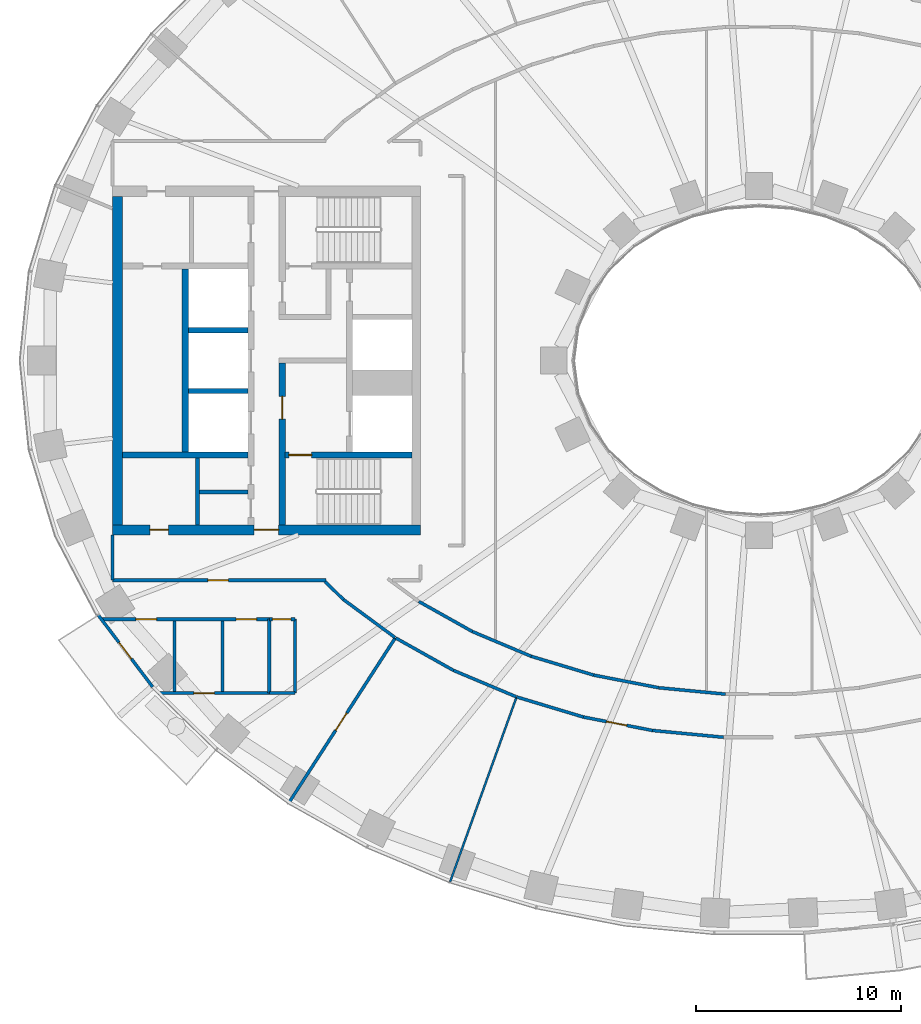
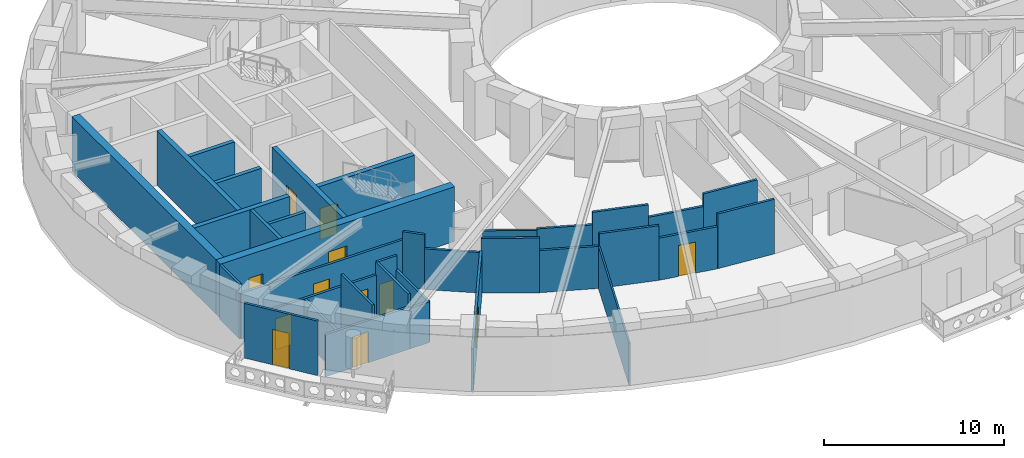
# One storey, part 3 of 16: 35 walls, 12 doors, 12 openings.
"""IFC4 building model written with IfcOpenShell, lengths in metres."""

from ifc_helpers import new_model, si_unit, direction, frame, frame_2d, origin, place, context, subcontext, project, spatial, rectangle, extrude, material, layer, layer_set, type_object, element, fill, save


model = new_model("IFC4")

# Units and contexts
model_context = context("Model", 3, precision=1e-05, world=origin(), true_north=direction((0.0, 1.0)))
body_context = subcontext(model_context, "Body", "Model", "MODEL_VIEW")
ifc_project = project(units=[si_unit("LENGTHUNIT", "METRE"), si_unit("AREAUNIT", "SQUARE_METRE"), si_unit("VOLUMEUNIT", "CUBIC_METRE"), si_unit("PLANEANGLEUNIT", "RADIAN"), si_unit("MASSUNIT", "GRAM", prefix="KILO")], contexts=[model_context])

# Site, building, storey
site_placement = place(None, origin())
site = spatial("IfcSite", under=ifc_project, at=site_placement, CompositionType="ELEMENT")
building_placement = place(site_placement, origin())
building = spatial("IfcBuilding", under=site, at=building_placement, Name="Noorbagh Ring Tower", CompositionType="ELEMENT")
storey_placement = place(building_placement, frame((0.0, 0.0, 66.5)))
storey = spatial("IfcBuildingStorey", under=building, at=storey_placement, Name="L14", CompositionType="ELEMENT", Elevation=66.5)

# Walls
ifc_material_1 = material(Name="Gypsum board on steel studs", Category="steel")
ifc_layer_1 = layer(ifc_material_1, 0.14990234375)
ifc_layer_set_1 = layer_set([ifc_layer_1], Name="Gypsum board on steel studs")
wall_type_1 = type_object("IfcWallType", Name="COMPARTMENT PARTITION 150 EI 60", PredefinedType="PARTITIONING", material=ifc_layer_set_1)
wall_1_placement = place(storey_placement, frame((-23.85888671875, -16.199951171875, 0.0), z_axis=(0.0, 0.0, 1.0), x_axis=(0.0, 1.0, 0.0)))
element("IfcWall", 1, at=wall_1_placement, inside=storey, type_object=wall_type_1, Name="L14/wall/P11", PredefinedType="PARTITIONING", context=body_context, shape_type="SweptSolid", body=[
    extrude(rectangle(XDim=3.599853515625, YDim=0.14990234375, at=frame_2d((1.7998046875, 0.0))), origin(), (0.0, 0.0, 1.0), 3.699951171875),
])
wall_2_placement = place(storey_placement, frame((-23.85888671875, -16.199951171875, 0.0), z_axis=(0.0, 0.0, 1.0), x_axis=(1.0, 0.0, 0.0)))
element("IfcWall", 2, at=wall_2_placement, inside=storey, type_object=wall_type_1, Name="L14/wall/P12", PredefinedType="PARTITIONING", context=body_context, shape_type="SweptSolid", body=[
    extrude(rectangle(XDim=1.255859375, YDim=0.14990234375, at=frame_2d((0.6279296875, 0.0))), origin(), (0.0, 0.0, 1.0), 2.75),
])

# Wall, opening, door
wall_3_placement = place(storey_placement, frame((-23.85888671875, -12.60009765625, 0.0), z_axis=(0.0, 0.0, 1.0), x_axis=(1.0, 0.0, 0.0)))
wall_3 = element("IfcWall", 3, at=wall_3_placement, inside=storey, type_object=wall_type_1, Name="L14/wall/P13", PredefinedType="PARTITIONING", context=body_context, shape_type="SweptSolid", body=[
    extrude(rectangle(XDim=1.259765625, YDim=0.14990234375, at=frame_2d((0.6298828125, 0.0))), origin(), (0.0, 0.0, 1.0), 3.699951171875),
])
opening_1_placement = place(wall_3_placement, frame((0.14990234375, 0.0, 0.0)))
opening_1 = element("IfcOpeningElement", 4, at=opening_1_placement, cuts=wall_3, Name="Opening D4", PredefinedType="OPENING", context=body_context, shape_type="SweptSolid", body=[
    extrude(rectangle(XDim=0.89990234375, YDim=2.10009765625, at=frame_2d((0.449951171875, 1.050048828125))), frame((0.0, 0.0849609375, 0.0), z_axis=(0.0, -1.0, 0.0), x_axis=(1.0, 0.0, 0.0)), (0.0, 0.0, 1.0), 0.169921875),
])
ifc_material_2 = material(Name="Timber, painted", Category="wood")
door_type_1 = type_object("IfcDoorType", Name="DOOR 900 X 2100 FD60", OperationType="SINGLE_SWING_LEFT", PredefinedType="DOOR", material=ifc_material_2)
door_1_placement = place(opening_1_placement, origin())
door_1 = element("IfcDoor", 5, at=door_1_placement, inside=storey, type_object=door_type_1, Name="L14-D05", OperationType="SINGLE_SWING_LEFT", OverallHeight=2.10009765625, OverallWidth=0.89990234375, PredefinedType="DOOR", context=body_context, shape_type="SweptSolid", body=[
    extrude(rectangle(XDim=0.89990234375, YDim=2.10009765625, at=frame_2d((0.449951171875, 1.050048828125))), frame((0.0, 0.02490234375, 0.0), z_axis=(0.0, -1.0, 0.0), x_axis=(1.0, 0.0, 0.0)), (0.0, 0.0, 1.0), 0.050048828125),
])
fill(opening_1, door_1)

# Walls
wall_4_placement = place(storey_placement, frame((-22.59912109375, -16.196044921875, 0.0), z_axis=(0.0, 0.0, 1.0), x_axis=(0.0, 1.0, 0.0)))
element("IfcWall", 6, at=wall_4_placement, inside=storey, type_object=wall_type_1, Name="L14/wall/P16", PredefinedType="PARTITIONING", context=body_context, shape_type="SweptSolid", body=[
    extrude(rectangle(XDim=3.595947265625, YDim=0.14990234375, at=frame_2d((1.7978515625, 0.0))), origin(), (0.0, 0.0, 1.0), 2.75),
])
ifc_material_3 = material(Name="Gypsum board on steel studs", Category="steel")
ifc_layer_2 = layer(ifc_material_3, 0.199951171875)
ifc_layer_set_2 = layer_set([ifc_layer_2], Name="Gypsum board on steel studs")
wall_type_2 = type_object("IfcWallType", Name="CORE-PARTITION-200", PredefinedType="PARTITIONING", material=ifc_layer_set_2)
wall_5_placement = place(storey_placement, frame((-27.35009765625, -8.0, 0.0), z_axis=(0.0, 0.0, 1.0), x_axis=(0.0, 1.0, 0.0)))
element("IfcWall", 7, at=wall_5_placement, inside=storey, type_object=wall_type_2, Name="Core partition W", PredefinedType="PARTITIONING", context=body_context, shape_type="SweptSolid", body=[
    extrude(rectangle(XDim=3.25, YDim=0.199951171875, at=frame_2d((1.625, 0.0))), origin(), (0.0, 0.0, 1.0), 3.699951171875),
])
wall_6_placement = place(storey_placement, frame((-24.89990234375, -6.39990234375, 0.0), z_axis=(0.0, 0.0, 1.0), x_axis=(-1.0, 0.0, 0.0)))
element("IfcWall", 8, at=wall_6_placement, inside=storey, type_object=wall_type_2, Name="Core partition W", PredefinedType="PARTITIONING", context=body_context, shape_type="SweptSolid", body=[
    extrude(rectangle(XDim=2.35009765625, YDim=0.199951171875, at=frame_2d((1.175048828125, 0.0))), origin(), (0.0, 0.0, 1.0), 3.699951171875),
])
ifc_material_4 = material(Name="Concrete C70/85", Category="concrete")
ifc_layer_3 = layer(ifc_material_4, 0.25)
ifc_layer_set_3 = layer_set([ifc_layer_3], Name="Concrete C70/85")
wall_type_3 = type_object("IfcWallType", Name="CORE-WALL-250-C70-85-EI120", PredefinedType="SHEAR", material=ifc_layer_set_3)
for number, where, z_axis, x_axis, name in (
    (9, (-24.89990234375, -1.47509765625, 0.0), (0.0, 0.0, 1.0), (-1.0, 0.0, 0.0), "Core wall W"),
    (10, (-24.89990234375, 1.47509765625, 0.0), (0.0, 0.0, 1.0), (-1.0, 0.0, 0.0), "Core wall W"),
):
    element("IfcWall", number, at=place(storey_placement, frame(where, z_axis=z_axis, x_axis=x_axis)), inside=storey, type_object=wall_type_3, Name=name, PredefinedType="SHEAR", context=body_context, shape_type="SweptSolid", body=[
        extrude(rectangle(XDim=2.900146484375, YDim=0.25, at=frame_2d((1.4501953125, 0.0))), origin(), (0.0, 0.0, 1.0), 3.699951171875),
    ])
ifc_material_5 = material(Name="Concrete C70/85", Category="concrete")
ifc_layer_4 = layer(ifc_material_5, 0.300048828125)
ifc_layer_set_4 = layer_set([ifc_layer_4], Name="Concrete C70/85")
wall_type_4 = type_object("IfcWallType", Name="CORE-WALL-300-C70-85-EI120", PredefinedType="SHEAR", material=ifc_layer_set_4)
wall_7_placement = place(storey_placement, frame((-27.949951171875, -4.449951171875, 0.0), z_axis=(0.0, 0.0, 1.0), x_axis=(0.0, 1.0, 0.0)))
element("IfcWall", 11, at=wall_7_placement, inside=storey, type_object=wall_type_4, Name="Core wall W", PredefinedType="SHEAR", context=body_context, shape_type="SweptSolid", body=[
    extrude(rectangle(XDim=8.89990234375, YDim=0.300048828125, at=frame_2d((4.449951171875, 0.0))), origin(), (0.0, 0.0, 1.0), 3.699951171875),
])
ifc_material_6 = material(Name="Concrete C70/85", Category="concrete")
ifc_layer_5 = layer(ifc_material_6, 0.300048828125)
ifc_layer_set_5 = layer_set([ifc_layer_5], Name="Concrete C70/85")
wall_type_5 = type_object("IfcWallType", Name="CORE-WALL-300-C70-85-EI240", PredefinedType="SHEAR", material=ifc_layer_set_5)
wall_8_placement = place(storey_placement, frame((-24.89990234375, -4.60009765625, 0.0), z_axis=(0.0, 0.0, 1.0), x_axis=(-1.0, 0.0, 0.0)))
element("IfcWall", 12, at=wall_8_placement, inside=storey, type_object=wall_type_5, Name="Core wall W", PredefinedType="SHEAR", context=body_context, shape_type="SweptSolid", body=[
    extrude(rectangle(XDim=6.10009765625, YDim=0.300048828125, at=frame_2d((3.050048828125, 0.0))), origin(), (0.0, 0.0, 1.0), 3.699951171875),
])

# Wall, opening, door
wall_9_placement = place(storey_placement, frame((-23.22998046875, -8.0, 0.0), z_axis=(0.0, 0.0, 1.0), x_axis=(0.0, 1.0, 0.0)))
wall_9 = element("IfcWall", 13, at=wall_9_placement, inside=storey, type_object=wall_type_5, Name="Core wall W", PredefinedType="SHEAR", context=body_context, shape_type="SweptSolid", body=[
    extrude(rectangle(XDim=7.875, YDim=0.300048828125, at=frame_2d((3.9375, 0.0))), origin(), (0.0, 0.0, 1.0), 3.699951171875),
])
opening_2_placement = place(wall_9_placement, frame((5.14990234375, 0.0, 0.0)))
opening_2 = element("IfcOpeningElement", 14, at=opening_2_placement, cuts=wall_9, Name="Opening L14-CW07", PredefinedType="OPENING", context=body_context, shape_type="SweptSolid", body=[
    extrude(rectangle(XDim=1.10009765625, YDim=2.10009765625, at=frame_2d((0.550048828125, 1.050048828125))), frame((0.0, 0.16015625, 0.0), z_axis=(0.0, -1.0, 0.0), x_axis=(1.0, 0.0, 0.0)), (0.0, 0.0, 1.0), 0.320068359375),
])
ifc_material_7 = material(Name="Steel door leaf", Category="steel")
door_type_2 = type_object("IfcDoorType", Name="CORE-DOOR-DFF", OperationType="SINGLE_SWING_LEFT", PredefinedType="DOOR", material=ifc_material_7)
door_2_placement = place(opening_2_placement, origin())
door_2 = element("IfcDoor", 15, at=door_2_placement, inside=storey, type_object=door_type_2, Name="Firefighting lobby door L14-CW07", OperationType="SINGLE_SWING_LEFT", OverallHeight=2.10009765625, OverallWidth=1.10009765625, PredefinedType="DOOR", context=body_context, shape_type="SweptSolid", body=[
    extrude(rectangle(XDim=1.10009765625, YDim=2.10009765625, at=frame_2d((0.550048828125, 1.050048828125))), frame((0.0, 0.02490234375, 0.0), z_axis=(0.0, -1.0, 0.0), x_axis=(1.0, 0.0, 0.0)), (0.0, 0.0, 1.0), 0.050048828125),
])
fill(opening_2, door_2)

wall_10_placement = place(storey_placement, frame((-16.89990234375, -4.60009765625, 0.0), z_axis=(0.0, 0.0, 1.0), x_axis=(-1.0, 0.0, 0.0)))
wall_10 = element("IfcWall", 16, at=wall_10_placement, inside=storey, type_object=wall_type_5, Name="Core wall W", PredefinedType="SHEAR", context=body_context, shape_type="SweptSolid", body=[
    extrude(rectangle(XDim=6.18017578125, YDim=0.300048828125, at=frame_2d((3.090087890625, 0.0))), origin(), (0.0, 0.0, 1.0), 3.699951171875),
])
opening_3_placement = place(wall_10_placement, frame((4.89990234375, 0.0, 0.0)))
opening_3 = element("IfcOpeningElement", 17, at=opening_3_placement, cuts=wall_10, Name="Opening L14-CW06", PredefinedType="OPENING", context=body_context, shape_type="SweptSolid", body=[
    extrude(rectangle(XDim=1.10009765625, YDim=2.10009765625, at=frame_2d((0.550048828125, 1.050048828125))), frame((0.0, 0.16015625, 0.0), z_axis=(0.0, -1.0, 0.0), x_axis=(1.0, 0.0, 0.0)), (0.0, 0.0, 1.0), 0.320068359375),
])
ifc_material_8 = material(Name="Steel door leaf", Category="steel")
door_type_3 = type_object("IfcDoorType", Name="CORE-DOOR-DSTAIR", OperationType="SINGLE_SWING_LEFT", PredefinedType="DOOR", material=ifc_material_8)
door_3_placement = place(opening_3_placement, origin())
door_3 = element("IfcDoor", 18, at=door_3_placement, inside=storey, type_object=door_type_3, Name="Stair door ST2 L14-CW06", OperationType="SINGLE_SWING_LEFT", OverallHeight=2.10009765625, OverallWidth=1.10009765625, PredefinedType="DOOR", context=body_context, shape_type="SweptSolid", body=[
    extrude(rectangle(XDim=1.10009765625, YDim=2.10009765625, at=frame_2d((0.550048828125, 1.050048828125))), frame((0.0, 0.02490234375, 0.0), z_axis=(0.0, -1.0, 0.0), x_axis=(1.0, 0.0, 0.0)), (0.0, 0.0, 1.0), 0.050048828125),
])
fill(opening_3, door_3)

# Wall, openings, doors
ifc_material_9 = material(Name="Concrete C70/85", Category="concrete")
ifc_layer_6 = layer(ifc_material_9, 0.5)
ifc_layer_set_6 = layer_set([ifc_layer_6], Name="Concrete C70/85")
wall_type_6 = type_object("IfcWallType", Name="CORE-WALL-500-C70-85-EI240", PredefinedType="SHEAR", material=ifc_layer_set_6)
wall_11_placement = place(storey_placement, frame((-16.5, -8.25, 0.0), z_axis=(0.0, 0.0, 1.0), x_axis=(-1.0, 0.0, 0.0)))
wall_11 = element("IfcWall", 19, at=wall_11_placement, inside=storey, type_object=wall_type_6, Name="Core wall W", PredefinedType="SHEAR", context=body_context, shape_type="SweptSolid", body=[
    extrude(rectangle(XDim=15.0, YDim=0.5, at=frame_2d((7.5, 0.0))), origin(), (0.0, 0.0, 1.0), 3.699951171875),
])
opening_4_placement = place(wall_11_placement, frame((6.89990234375, 0.0, 0.0)))
opening_4 = element("IfcOpeningElement", 20, at=opening_4_placement, cuts=wall_11, Name="Opening L14-CW10", PredefinedType="OPENING", context=body_context, shape_type="SweptSolid", body=[
    extrude(rectangle(XDim=1.199951171875, YDim=2.10009765625, at=frame_2d((0.60009765625, 1.050048828125))), frame((0.0, 0.260009765625, 0.0), z_axis=(0.0, -1.0, 0.0), x_axis=(1.0, 0.0, 0.0)), (0.0, 0.0, 1.0), 0.52001953125),
])
opening_5_placement = place(wall_11_placement, frame((12.27490234375, 0.0, 0.0)))
opening_5 = element("IfcOpeningElement", 21, at=opening_5_placement, cuts=wall_11, Name="Opening L14-CW16", PredefinedType="OPENING", context=body_context, shape_type="SweptSolid", body=[
    extrude(rectangle(XDim=0.89990234375, YDim=2.10009765625, at=frame_2d((0.449951171875, 1.050048828125))), frame((0.0, 0.260009765625, 0.0), z_axis=(0.0, -1.0, 0.0), x_axis=(1.0, 0.0, 0.0)), (0.0, 0.0, 1.0), 0.52001953125),
])
ifc_material_10 = material(Name="Steel door leaf", Category="steel")
door_type_4 = type_object("IfcDoorType", Name="CORE-DOOR-DROOM", OperationType="SINGLE_SWING_LEFT", PredefinedType="DOOR", material=ifc_material_10)
door_4_placement = place(opening_5_placement, origin())
door_4 = element("IfcDoor", 22, at=door_4_placement, inside=storey, type_object=door_type_4, Name="Core room door L14-CW16", OperationType="SINGLE_SWING_LEFT", OverallHeight=2.10009765625, OverallWidth=0.89990234375, PredefinedType="DOOR", context=body_context, shape_type="SweptSolid", body=[
    extrude(rectangle(XDim=0.89990234375, YDim=2.10009765625, at=frame_2d((0.449951171875, 1.050048828125))), frame((0.0, 0.02490234375, 0.0), z_axis=(0.0, -1.0, 0.0), x_axis=(1.0, 0.0, 0.0)), (0.0, 0.0, 1.0), 0.050048828125),
])
fill(opening_5, door_4)
ifc_material_11 = material(Name="Steel door leaf", Category="steel")
door_type_5 = type_object("IfcDoorType", Name="CORE-DOOR-PORT", OperationType="DOUBLE_DOOR_DOUBLE_SWING", PredefinedType="DOOR", material=ifc_material_11)
door_5_placement = place(opening_4_placement, origin())
door_5 = element("IfcDoor", 23, at=door_5_placement, inside=storey, type_object=door_type_5, Name="Core entrance door L14-CW10", OperationType="DOUBLE_DOOR_DOUBLE_SWING", OverallHeight=2.10009765625, OverallWidth=1.199951171875, PredefinedType="DOOR", context=body_context, shape_type="SweptSolid", body=[
    extrude(rectangle(XDim=1.199951171875, YDim=2.10009765625, at=frame_2d((0.60009765625, 1.050048828125))), frame((0.0, 0.02490234375, 0.0), z_axis=(0.0, -1.0, 0.0), x_axis=(1.0, 0.0, 0.0)), (0.0, 0.0, 1.0), 0.050048828125),
])
fill(opening_4, door_5)

# Wall
wall_12_placement = place(storey_placement, frame((-31.25, -8.0, 0.0), z_axis=(0.0, 0.0, 1.0), x_axis=(0.0, 1.0, 0.0)))
element("IfcWall", 24, at=wall_12_placement, inside=storey, type_object=wall_type_6, Name="Core wall W", PredefinedType="SHEAR", context=body_context, shape_type="SweptSolid", body=[
    extrude(rectangle(XDim=16.0, YDim=0.5, at=frame_2d((8.0, 0.0))), origin(), (0.0, 0.0, 1.0), 3.699951171875),
])

# Wall, openings, doors
ifc_material_12 = material(Name="Gypsum board on steel studs", Category="steel")
ifc_layer_7 = layer(ifc_material_12, 0.14990234375)
ifc_layer_set_7 = layer_set([ifc_layer_7], Name="Gypsum board on steel studs")
wall_type_7 = type_object("IfcWallType", Name="CORRIDOR PARTITION 150 EI 30", PredefinedType="PARTITIONING", material=ifc_layer_set_7)
wall_13_placement = place(storey_placement, frame((-32.06298828125, -12.60009765625, 0.0), z_axis=(0.0, 0.0, 1.0), x_axis=(1.0, 0.0, 0.0)))
wall_13 = element("IfcWall", 25, at=wall_13_placement, inside=storey, type_object=wall_type_7, Name="L14/wall/P02", PredefinedType="PARTITIONING", context=body_context, shape_type="SweptSolid", body=[
    extrude(rectangle(XDim=8.2041015625, YDim=0.14990234375, at=frame_2d((4.10205078125, 0.0))), origin(), (0.0, 0.0, 1.0), 2.85009765625),
])
opening_6_placement = place(wall_13_placement, frame((1.712890625, 0.0, 0.0)))
opening_6 = element("IfcOpeningElement", 26, at=opening_6_placement, cuts=wall_13, Name="Opening D3", PredefinedType="OPENING", context=body_context, shape_type="SweptSolid", body=[
    extrude(rectangle(XDim=1.0, YDim=2.10009765625, at=frame_2d((0.5, 1.050048828125))), frame((0.0, 0.0849609375, 0.0), z_axis=(0.0, -1.0, 0.0), x_axis=(1.0, 0.0, 0.0)), (0.0, 0.0, 1.0), 0.169921875),
])
opening_7_placement = place(wall_13_placement, frame((6.5859375, 0.0, 0.0)))
opening_7 = element("IfcOpeningElement", 27, at=opening_7_placement, cuts=wall_13, Name="Opening D3", PredefinedType="OPENING", context=body_context, shape_type="SweptSolid", body=[
    extrude(rectangle(XDim=1.0, YDim=2.10009765625, at=frame_2d((0.5, 1.050048828125))), frame((0.0, 0.0849609375, 0.0), z_axis=(0.0, -1.0, 0.0), x_axis=(1.0, 0.0, 0.0)), (0.0, 0.0, 1.0), 0.169921875),
])
ifc_material_13 = material(Name="Timber, painted", Category="wood")
door_type_6 = type_object("IfcDoorType", Name="DOOR 1000 X 2100 WC", OperationType="SINGLE_SWING_LEFT", PredefinedType="DOOR", material=ifc_material_13)
door_6_placement = place(opening_6_placement, origin())
door_6 = element("IfcDoor", 28, at=door_6_placement, inside=storey, type_object=door_type_6, Name="L14-D02", OperationType="SINGLE_SWING_RIGHT", OverallHeight=2.10009765625, OverallWidth=1.0, PredefinedType="DOOR", context=body_context, shape_type="SweptSolid", body=[
    extrude(rectangle(XDim=1.0, YDim=2.10009765625, at=frame_2d((0.5, 1.050048828125))), frame((0.0, 0.02490234375, 0.0), z_axis=(0.0, -1.0, 0.0), x_axis=(1.0, 0.0, 0.0)), (0.0, 0.0, 1.0), 0.050048828125),
])
fill(opening_6, door_6)
door_7_placement = place(opening_7_placement, origin())
door_7 = element("IfcDoor", 29, at=door_7_placement, inside=storey, type_object=door_type_6, Name="L14-D04", OperationType="SINGLE_SWING_RIGHT", OverallHeight=2.10009765625, OverallWidth=1.0, PredefinedType="DOOR", context=body_context, shape_type="SweptSolid", body=[
    extrude(rectangle(XDim=1.0, YDim=2.10009765625, at=frame_2d((0.5, 1.050048828125))), frame((0.0, 0.02490234375, 0.0), z_axis=(0.0, -1.0, 0.0), x_axis=(1.0, 0.0, 0.0)), (0.0, 0.0, 1.0), 0.050048828125),
])
fill(opening_7, door_7)

# Wall
wall_14_placement = place(storey_placement, frame((-31.5, -10.699951171875, 0.0), z_axis=(0.0, 0.0, 1.0), x_axis=(0.0, 1.0, 0.0)))
element("IfcWall", 30, at=wall_14_placement, inside=storey, type_object=wall_type_7, Name="L14/wall/P03", PredefinedType="PARTITIONING", context=body_context, shape_type="SweptSolid", body=[
    extrude(rectangle(XDim=2.199951171875, YDim=0.14990234375, at=frame_2d((1.10009765625, 0.0))), origin(), (0.0, 0.0, 1.0), 3.699951171875),
])

# Wall, opening, door
wall_15_placement = place(storey_placement, frame((-31.5, -10.699951171875, 0.0), z_axis=(0.0, 0.0, 1.0), x_axis=(1.0, 0.0, 0.0)))
wall_15 = element("IfcWall", 31, at=wall_15_placement, inside=storey, type_object=wall_type_7, Name="L14/wall/P04", PredefinedType="PARTITIONING", context=body_context, shape_type="SweptSolid", body=[
    extrude(rectangle(XDim=10.39599609375, YDim=0.14990234375, at=frame_2d((5.197998046875, 0.0))), origin(), (0.0, 0.0, 1.0), 3.10009765625),
])
opening_8_placement = place(wall_15_placement, frame((4.64990234375, 0.0, 0.0)))
opening_8 = element("IfcOpeningElement", 32, at=opening_8_placement, cuts=wall_15, Name="Opening D1", PredefinedType="OPENING", context=body_context, shape_type="SweptSolid", body=[
    extrude(rectangle(XDim=1.0, YDim=2.10009765625, at=frame_2d((0.5, 1.050048828125))), frame((0.0, 0.0849609375, 0.0), z_axis=(0.0, -1.0, 0.0), x_axis=(1.0, 0.0, 0.0)), (0.0, 0.0, 1.0), 0.169921875),
])
ifc_material_14 = material(Name="Timber, painted", Category="wood")
door_type_7 = type_object("IfcDoorType", Name="DOOR 1000 X 2100 FD30", OperationType="SINGLE_SWING_LEFT", PredefinedType="DOOR", material=ifc_material_14)
door_8_placement = place(opening_8_placement, origin())
door_8 = element("IfcDoor", 33, at=door_8_placement, inside=storey, type_object=door_type_7, Name="L14-D01", OperationType="SINGLE_SWING_LEFT", OverallHeight=2.10009765625, OverallWidth=1.0, PredefinedType="DOOR", context=body_context, shape_type="SweptSolid", body=[
    extrude(rectangle(XDim=1.0, YDim=2.10009765625, at=frame_2d((0.5, 1.050048828125))), frame((0.0, 0.02490234375, 0.0), z_axis=(0.0, -1.0, 0.0), x_axis=(1.0, 0.0, 0.0)), (0.0, 0.0, 1.0), 0.050048828125),
])
fill(opening_8, door_8)

wall_16_placement = place(storey_placement, frame((-29.251953125, -16.199951171875, 0.0), z_axis=(0.0, 0.0, 1.0), x_axis=(1.0, 0.0, 0.0)))
wall_16 = element("IfcWall", 34, at=wall_16_placement, inside=storey, type_object=wall_type_7, Name="L14/wall/P08", PredefinedType="PARTITIONING", context=body_context, shape_type="SweptSolid", body=[
    extrude(rectangle(XDim=5.39306640625, YDim=0.14990234375, at=frame_2d((2.696533203125, 0.0))), origin(), (0.0, 0.0, 1.0), 2.85009765625),
])
opening_9_placement = place(wall_16_placement, frame((1.72509765625, 0.0, 0.0)))
opening_9 = element("IfcOpeningElement", 35, at=opening_9_placement, cuts=wall_16, Name="Opening D3", PredefinedType="OPENING", context=body_context, shape_type="SweptSolid", body=[
    extrude(rectangle(XDim=1.0, YDim=2.10009765625, at=frame_2d((0.5, 1.050048828125))), frame((0.0, 0.0849609375, 0.0), z_axis=(0.0, -1.0, 0.0), x_axis=(1.0, 0.0, 0.0)), (0.0, 0.0, 1.0), 0.169921875),
])
door_9_placement = place(opening_9_placement, origin())
door_9 = element("IfcDoor", 36, at=door_9_placement, inside=storey, type_object=door_type_6, Name="L14-D03", OperationType="SINGLE_SWING_LEFT", OverallHeight=2.10009765625, OverallWidth=1.0, PredefinedType="DOOR", context=body_context, shape_type="SweptSolid", body=[
    extrude(rectangle(XDim=1.0, YDim=2.10009765625, at=frame_2d((0.5, 1.050048828125))), frame((0.0, 0.02490234375, 0.0), z_axis=(0.0, -1.0, 0.0), x_axis=(1.0, 0.0, 0.0)), (0.0, 0.0, 1.0), 0.050048828125),
])
fill(opening_9, door_9)

# Walls
wall_17_placement = place(storey_placement, frame((-28.47900390625, -16.125, 0.0), z_axis=(0.0, 0.0, 1.0), x_axis=(0.0, 1.0, 0.0)))
element("IfcWall", 37, at=wall_17_placement, inside=storey, type_object=wall_type_7, Name="L14/wall/P09", PredefinedType="PARTITIONING", context=body_context, shape_type="SweptSolid", body=[
    extrude(rectangle(XDim=3.449951171875, YDim=0.14990234375, at=frame_2d((1.72509765625, 0.0))), origin(), (0.0, 0.0, 1.0), 2.85009765625),
])
wall_18_placement = place(storey_placement, frame((-26.126953125, -16.125, 0.0), z_axis=(0.0, 0.0, 1.0), x_axis=(0.0, 1.0, 0.0)))
element("IfcWall", 38, at=wall_18_placement, inside=storey, type_object=wall_type_7, Name="L14/wall/P10", PredefinedType="PARTITIONING", context=body_context, shape_type="SweptSolid", body=[
    extrude(rectangle(XDim=3.449951171875, YDim=0.14990234375, at=frame_2d((1.72509765625, 0.0))), origin(), (0.0, 0.0, 1.0), 3.699951171875),
])

# Wall, opening, door
wall_19_placement = place(storey_placement, frame((-22.905029296875, -21.5419921875, 0.0), z_axis=(0.0, 0.0, 1.0), x_axis=(0.542244314938, 0.840220865557, 0.0)))
wall_19 = element("IfcWall", 39, at=wall_19_placement, inside=storey, type_object=wall_type_7, Name="L14/wall/P14", PredefinedType="PARTITIONING", context=body_context, shape_type="SweptSolid", body=[
    extrude(rectangle(XDim=9.56396484375, YDim=0.14990234375, at=frame_2d((4.781982421875, 0.0))), origin(), (0.0, 0.0, 1.0), 2.85009765625),
])
opening_10_placement = place(wall_19_placement, frame((4.199951171875, 0.0, 0.0)))
opening_10 = element("IfcOpeningElement", 40, at=opening_10_placement, cuts=wall_19, Name="Opening D1", PredefinedType="OPENING", context=body_context, shape_type="SweptSolid", body=[
    extrude(rectangle(XDim=1.0, YDim=2.10009765625, at=frame_2d((0.5, 1.050048828125))), frame((0.0, 0.0849609375, 0.0), z_axis=(0.0, -1.0, 0.0), x_axis=(1.0, 0.0, 0.0)), (0.0, 0.0, 1.0), 0.169921875),
])
door_10_placement = place(opening_10_placement, origin())
door_10 = element("IfcDoor", 41, at=door_10_placement, inside=storey, type_object=door_type_7, Name="L14-D08", OperationType="SINGLE_SWING_RIGHT", OverallHeight=2.10009765625, OverallWidth=1.0, PredefinedType="DOOR", context=body_context, shape_type="SweptSolid", body=[
    extrude(rectangle(XDim=1.0, YDim=2.10009765625, at=frame_2d((0.5, 1.050048828125))), frame((0.0, 0.02490234375, 0.0), z_axis=(0.0, -1.0, 0.0), x_axis=(1.0, 0.0, 0.0)), (0.0, 0.0, 1.0), 0.050048828125),
])
fill(opening_10, door_10)

# Walls
wall_20_placement = place(storey_placement, frame((-21.135009765625, -10.77490234375, 0.0), z_axis=(0.0, 0.0, 1.0), x_axis=(0.717043956417, -0.697027951065, 0.0)))
element("IfcWall", 42, at=wall_20_placement, inside=storey, type_object=wall_type_7, Name="L14/wall/P17", PredefinedType="PARTITIONING", context=body_context, shape_type="SweptSolid", body=[
    extrude(rectangle(XDim=1.244140625, YDim=0.14990234375, at=frame_2d((0.6220703125, 0.0))), origin(), (0.0, 0.0, 1.0), 3.699951171875),
])
wall_21_placement = place(storey_placement, frame((-20.242919921875, -11.64208984375, 0.0), z_axis=(0.0, 0.0, 1.0), x_axis=(0.805148342369, -0.593073475027, 0.0)))
element("IfcWall", 43, at=wall_21_placement, inside=storey, type_object=wall_type_7, Name="L14/wall/P19", PredefinedType="PARTITIONING", context=body_context, shape_type="SweptSolid", body=[
    extrude(rectangle(XDim=3.117431640625, YDim=0.14990234375, at=frame_2d((1.55859375, 0.0))), origin(), (0.0, 0.0, 1.0), 2.75),
])
wall_22_placement = place(storey_placement, frame((-17.698974609375, -13.512939453125, 0.0), z_axis=(0.0, 0.0, 1.0), x_axis=(0.872072163686, -0.489377299559, 0.0)))
element("IfcWall", 44, at=wall_22_placement, inside=storey, type_object=wall_type_7, Name="L14/wall/P25", PredefinedType="PARTITIONING", context=body_context, shape_type="SweptSolid", body=[
    extrude(rectangle(XDim=3.226806640625, YDim=0.14990234375, at=frame_2d((1.61328125, 0.0))), origin(), (0.0, 0.0, 1.0), 3.699951171875),
])
wall_23_placement = place(storey_placement, frame((-16.575927734375, -11.735107421875, 0.0), z_axis=(0.0, 0.0, 1.0), x_axis=(0.872164226045, -0.489213207924, 0.0)))
element("IfcWall", 45, at=wall_23_placement, inside=storey, type_object=wall_type_7, Name="L14/wall/P27", PredefinedType="PARTITIONING", context=body_context, shape_type="SweptSolid", body=[
    extrude(rectangle(XDim=2.998291015625, YDim=0.14990234375, at=frame_2d((1.4990234375, 0.0))), origin(), (0.0, 0.0, 1.0), 2.75),
])
wall_24_placement = place(storey_placement, frame((-14.885009765625, -15.092041015625, 0.0), z_axis=(0.0, 0.0, 1.0), x_axis=(0.921844706698, -0.387559462189, 0.0)))
element("IfcWall", 46, at=wall_24_placement, inside=storey, type_object=wall_type_7, Name="L14/wall/P35", PredefinedType="PARTITIONING", context=body_context, shape_type="SweptSolid", body=[
    extrude(rectangle(XDim=3.31298828125, YDim=0.14990234375, at=frame_2d((1.656494140625, 0.0))), origin(), (0.0, 0.0, 1.0), 2.85009765625),
])
wall_25_placement = place(storey_placement, frame((-13.9609375, -13.201904296875, 0.0), z_axis=(0.0, 0.0, 1.0), x_axis=(0.921753827375, -0.387775555857, 0.0)))
element("IfcWall", 47, at=wall_25_placement, inside=storey, type_object=wall_type_7, Name="L14/wall/P38", PredefinedType="PARTITIONING", context=body_context, shape_type="SweptSolid", body=[
    extrude(rectangle(XDim=3.1025390625, YDim=0.14990234375, at=frame_2d((1.55126953125, 0.0))), origin(), (0.0, 0.0, 1.0), 2.85009765625),
])
wall_26_placement = place(storey_placement, frame((-11.81201171875, -16.384033203125, 0.0), z_axis=(0.0, 0.0, 1.0), x_axis=(0.95754884035, -0.28827108482, 0.0)))
element("IfcWall", 48, at=wall_26_placement, inside=storey, type_object=wall_type_7, Name="L14/wall/P41", PredefinedType="PARTITIONING", context=body_context, shape_type="SweptSolid", body=[
    extrude(rectangle(XDim=3.396240234375, YDim=0.14990234375, at=frame_2d((1.6982421875, 0.0))), origin(), (0.0, 0.0, 1.0), 3.699951171875),
])
wall_27_placement = place(storey_placement, frame((-11.10107421875, -14.405029296875, 0.0), z_axis=(0.0, 0.0, 1.0), x_axis=(0.957612601062, -0.28805920622, 0.0)))
element("IfcWall", 49, at=wall_27_placement, inside=storey, type_object=wall_type_7, Name="L14/wall/P43", PredefinedType="PARTITIONING", context=body_context, shape_type="SweptSolid", body=[
    extrude(rectangle(XDim=3.179931640625, YDim=0.14990234375, at=frame_2d((1.58984375, 0.0))), origin(), (0.0, 0.0, 1.0), 3.699951171875),
])

# Wall, opening, door
wall_28_placement = place(storey_placement, frame((-8.56005859375, -17.363037109375, 0.0), z_axis=(0.0, 0.0, 1.0), x_axis=(0.981639027618, -0.1907480523, 0.0)))
wall_28 = element("IfcWall", 50, at=wall_28_placement, inside=storey, type_object=wall_type_7, Name="L14/wall/P45", PredefinedType="PARTITIONING", context=body_context, shape_type="SweptSolid", body=[
    extrude(rectangle(XDim=3.439208984375, YDim=0.14990234375, at=frame_2d((1.7197265625, 0.0))), origin(), (0.0, 0.0, 1.0), 2.85009765625),
])
opening_11_placement = place(wall_28_placement, frame((1.14990234375, 0.0, 0.0)))
opening_11 = element("IfcOpeningElement", 51, at=opening_11_placement, cuts=wall_28, Name="Opening D1", PredefinedType="OPENING", context=body_context, shape_type="SweptSolid", body=[
    extrude(rectangle(XDim=1.0, YDim=2.10009765625, at=frame_2d((0.5, 1.050048828125))), frame((0.0, 0.0849609375, 0.0), z_axis=(0.0, -1.0, 0.0), x_axis=(1.0, 0.0, 0.0)), (0.0, 0.0, 1.0), 0.169921875),
])
door_11_placement = place(opening_11_placement, origin())
door_11 = element("IfcDoor", 52, at=door_11_placement, inside=storey, type_object=door_type_7, Name="L14-D10", OperationType="SINGLE_SWING_RIGHT", OverallHeight=2.10009765625, OverallWidth=1.0, PredefinedType="DOOR", context=body_context, shape_type="SweptSolid", body=[
    extrude(rectangle(XDim=1.0, YDim=2.10009765625, at=frame_2d((0.5, 1.050048828125))), frame((0.0, 0.02490234375, 0.0), z_axis=(0.0, -1.0, 0.0), x_axis=(1.0, 0.0, 0.0)), (0.0, 0.0, 1.0), 0.050048828125),
])
fill(opening_11, door_11)

# Walls
wall_29_placement = place(storey_placement, frame((-8.055908203125, -15.321044921875, 0.0), z_axis=(0.0, 0.0, 1.0), x_axis=(0.981604377859, -0.190926282547, 0.0)))
element("IfcWall", 53, at=wall_29_placement, inside=storey, type_object=wall_type_7, Name="L14/wall/P47", PredefinedType="PARTITIONING", context=body_context, shape_type="SweptSolid", body=[
    extrude(rectangle(XDim=3.231201171875, YDim=0.14990234375, at=frame_2d((1.61572265625, 0.0))), origin(), (0.0, 0.0, 1.0), 2.85009765625),
])
wall_30_placement = place(storey_placement, frame((-5.18408203125, -18.01904296875, 0.0), z_axis=(0.0, 0.0, 1.0), x_axis=(0.995482474707, -0.09494547146, 0.0)))
element("IfcWall", 54, at=wall_30_placement, inside=storey, type_object=wall_type_7, Name="L14/wall/P49", PredefinedType="PARTITIONING", context=body_context, shape_type="SweptSolid", body=[
    extrude(rectangle(XDim=3.463623046875, YDim=0.14990234375, at=frame_2d((1.73193359375, 0.0))), origin(), (0.0, 0.0, 1.0), 3.699951171875),
])
wall_31_placement = place(storey_placement, frame((-4.884033203125, -15.93798828125, 0.0), z_axis=(0.0, 0.0, 1.0), x_axis=(0.99547459835, -0.095028017131, 0.0)))
element("IfcWall", 55, at=wall_31_placement, inside=storey, type_object=wall_type_7, Name="L14/wall/P51", PredefinedType="PARTITIONING", context=body_context, shape_type="SweptSolid", body=[
    extrude(rectangle(XDim=3.2626953125, YDim=0.14990234375, at=frame_2d((1.63134765625, 0.0))), origin(), (0.0, 0.0, 1.0), 3.699951171875),
])

# Wall, opening, door
ifc_material_15 = material(Name="Insulated aluminium clad panel", Category="aluminium")
ifc_layer_8 = layer(ifc_material_15, 0.14990234375)
ifc_layer_set_8 = layer_set([ifc_layer_8], Name="Insulated aluminium clad panel")
wall_type_8 = type_object("IfcWallType", Name="ENV-WALL-DOOR", PredefinedType="STANDARD", material=ifc_layer_set_8)
wall_32_placement = place(storey_placement, frame((-32.20751953125, -12.37353515625, 0.0), z_axis=(0.0, 0.0, 1.0), x_axis=(0.604045763106, -0.796949632081, 0.0)))
wall_32 = element("IfcWall", 56, at=wall_32_placement, inside=storey, type_object=wall_type_8, Name="Balcony door wall chord 27", PredefinedType="STANDARD", context=body_context, shape_type="SweptSolid", body=[
    extrude(rectangle(XDim=4.42333984375, YDim=0.14990234375, at=frame_2d((2.211669921875, 0.0))), origin(), (0.0, 0.0, 1.0), 3.699951171875),
])
opening_12_placement = place(wall_32_placement, frame((1.711669921875, 0.0, 0.0)))
opening_12 = element("IfcOpeningElement", 57, at=opening_12_placement, cuts=wall_32, Name="Opening D-BL", PredefinedType="OPENING", context=body_context, shape_type="SweptSolid", body=[
    extrude(rectangle(XDim=1.0, YDim=2.39990234375, at=frame_2d((0.5, 1.199951171875))), frame((0.0, 0.0849609375, 0.0), z_axis=(0.0, -1.0, 0.0), x_axis=(1.0, 0.0, 0.0)), (0.0, 0.0, 1.0), 0.169921875),
])
ifc_material_16 = material(Name="Aluminium and glass", Category="aluminium")
door_type_8 = type_object("IfcDoorType", Name="ENV-DOOR-BALCONY", OperationType="SINGLE_SWING_LEFT", PredefinedType="DOOR", material=ifc_material_16)
door_12_placement = place(opening_12_placement, origin())
door_12 = element("IfcDoor", 58, at=door_12_placement, inside=storey, type_object=door_type_8, Name="Balcony door chord 27", OperationType="SINGLE_SWING_LEFT", OverallHeight=2.39990234375, OverallWidth=1.0, PredefinedType="DOOR", context=body_context, shape_type="SweptSolid", body=[
    extrude(rectangle(XDim=1.0, YDim=2.39990234375, at=frame_2d((0.5, 1.199951171875))), frame((0.0, 0.02490234375, 0.0), z_axis=(0.0, -1.0, 0.0), x_axis=(1.0, 0.0, 0.0)), (0.0, 0.0, 1.0), 0.050048828125),
])
fill(opening_12, door_12)

# Wall
ifc_material_17 = material(Name="Gypsum board on steel studs", Category="steel")
ifc_layer_9 = layer(ifc_material_17, 0.10009765625)
ifc_layer_set_9 = layer_set([ifc_layer_9], Name="Gypsum board on steel studs")
wall_type_9 = type_object("IfcWallType", Name="PARTITION 100 GYPSUM", PredefinedType="PARTITIONING", material=ifc_layer_set_9)
wall_33_placement = place(storey_placement, frame((-15.048095703125, -25.383056640625, 0.0), z_axis=(0.0, 0.0, 1.0), x_axis=(0.338338680362, 0.941024408488, 0.0)))
element("IfcWall", 59, at=wall_33_placement, inside=storey, type_object=wall_type_9, Name="L14/wall/P33", PredefinedType="PARTITIONING", context=body_context, shape_type="SweptSolid", body=[
    extrude(rectangle(XDim=9.558837890625, YDim=0.10009765625, at=frame_2d((4.779296875, 0.0))), origin(), (0.0, 0.0, 1.0), 2.85009765625),
])

save(model, "model.ifc")
